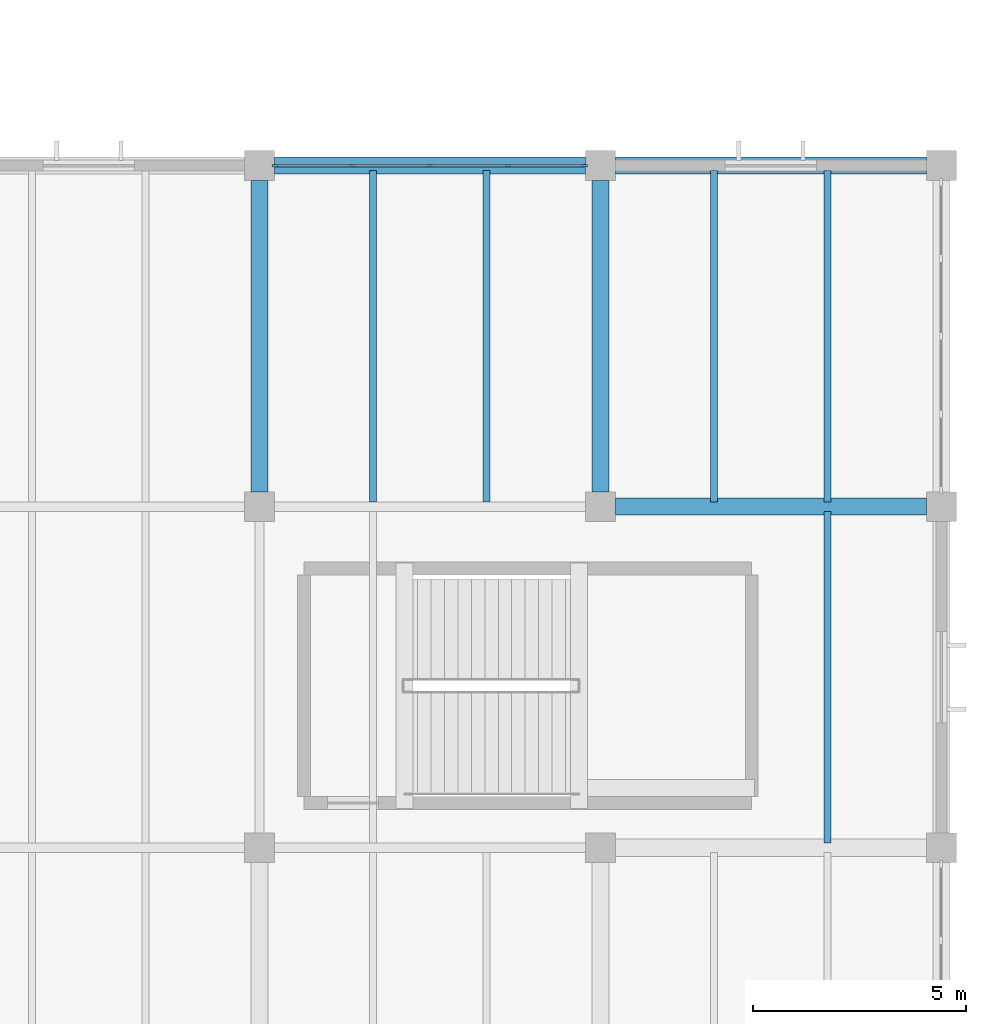
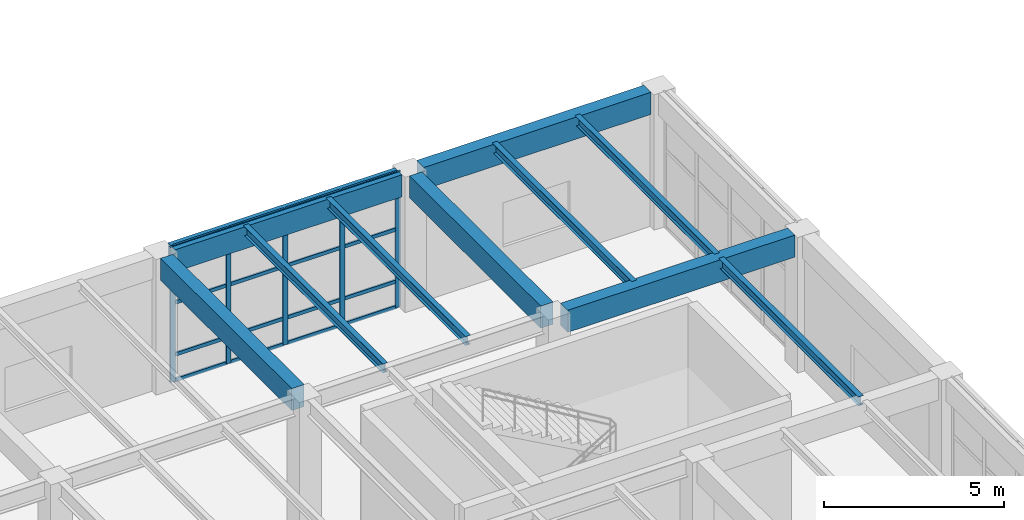
# One storey, part 29 of 60: 21 members, 10 beams, 1 element without a shape of its own.
"""IFC4 building model written with IfcOpenShell, lengths in metres."""

from ifc_helpers import new_model, si_unit, direction, frame, origin, origin_2d, place, context, subcontext, project, spatial, rectangle, i_section, extrude, material, layer, layer_set, material_profile, profile_set, type_object, element, aggregate, save


model = new_model("IFC4")

# Units and contexts
model_context = context("Model", 3, precision=1e-05, world=origin(), true_north=direction((0.0, 1.0)))
body_context = subcontext(model_context, "Body", "Model", "MODEL_VIEW")
ifc_project = project(units=[si_unit("LENGTHUNIT", "METRE"), si_unit("AREAUNIT", "SQUARE_METRE"), si_unit("VOLUMEUNIT", "CUBIC_METRE"), si_unit("PLANEANGLEUNIT", "RADIAN"), si_unit("MASSUNIT", "GRAM", prefix="KILO")], contexts=[model_context])

# Site, building, storey
site_placement = place(None, origin())
site = spatial("IfcSite", under=ifc_project, at=site_placement, CompositionType="ELEMENT")
building_placement = place(site_placement, origin())
building = spatial("IfcBuilding", under=site, at=building_placement, Name="Varnela Railside Interchange", CompositionType="ELEMENT")
storey_placement = place(building_placement, frame((0.0, 0.0, 6.300048828125)))
storey = spatial("IfcBuildingStorey", under=building, at=storey_placement, Name="L01", CompositionType="ELEMENT", Elevation=6.300048828125)

# Beams
ifc_material_1 = material(Name="Steel AR 350 (350 MPa)", Category="steel")
ifc_material_profile_1 = material_profile(ifc_material_1, i_section(OverallWidth=0.1650390625, OverallDepth=0.31005859375, WebThickness=0.005859375, FlangeThickness=0.009765625, at=origin_2d()), Name="W310x38.7")
ifc_profile_set_1 = profile_set([ifc_material_profile_1], Name="Steel AR 350 (350 MPa)")
beam_type_1 = type_object("IfcBeamType", Name="Composite Floor Joist J-04", PredefinedType="JOIST", material=ifc_profile_set_1)
for number, where, z_axis, x_axis, name in (
    (1, (150.669921875, 54.114501953125, 4.445068359375), (0.0, 1.0, 0.0), (-1.0, 0.0, 0.0), "Composite Floor Joist J-04 (L01) (BM-1529)"),
    (2, (153.330078125, 54.114501953125, 4.445068359375), (0.0, 1.0, 0.0), (-1.0, 0.0, 0.0), "Composite Floor Joist J-04 (L01) (BM-1530)"),
    (3, (161.330078125, 46.114501953125, 4.445068359375), (0.0, 1.0, 0.0), (-1.0, 0.0, 0.0), "Composite Floor Joist J-04 (L01) (BM-1533)"),
    (4, (158.669921875, 54.114501953125, 4.445068359375), (0.0, 1.0, 0.0), (-1.0, 0.0, 0.0), "Composite Floor Joist J-04 (L01) (BM-1534)"),
    (5, (161.330078125, 54.114501953125, 4.445068359375), (0.0, 1.0, 0.0), (-1.0, 0.0, 0.0), "Composite Floor Joist J-04 (L01) (BM-1535)"),
):
    element("IfcBeam", number, at=place(storey_placement, frame(where, z_axis=z_axis, x_axis=x_axis)), inside=storey, type_object=beam_type_1, Name=name, PredefinedType="JOIST", context=body_context, shape_type="SweptSolid", body=[
        extrude(i_section(OverallWidth=0.1650390625, OverallDepth=0.31005859375, WebThickness=0.005859375, FlangeThickness=0.009765625, at=origin_2d()), origin(), (0.0, 0.0, 1.0), 7.77099609375),
    ])

# Curtain wall, members
ifc_material_2 = material(Name="Aluminium 6063-T6", Category="aluminium")
ifc_layer = layer(ifc_material_2, 0.035888671875)
ifc_layer_set = layer_set([ifc_layer], Name="Aluminium 6063-T6")
curtain_wall_type = type_object("IfcCurtainWallType", Name="Study Pavilion Gallery Curtain Wall CW-02", PredefinedType="USERDEFINED", material=ifc_layer_set)
curtain_wall_placement = place(storey_placement, origin())
curtain_wall = element("IfcCurtainWall", 6, at=curtain_wall_placement, inside=storey, type_object=curtain_wall_type, Name="Curtain Wall CW-02 (L01) (CW-036)", ObjectType="CURTAIN WALL", PredefinedType="USERDEFINED")
ifc_material_profile_2 = material_profile(ifc_material_2, rectangle(XDim=0.06005859375, YDim=0.159912109375, at=origin_2d()), Name="ALU 60x160")
ifc_profile_set_2 = profile_set([ifc_material_profile_2], Name="Aluminium 6063-T6")
member_type_1 = type_object("IfcMemberType", Name="Curtain Wall Mullion ML-02", PredefinedType="MULLION", material=ifc_profile_set_2)
member_1_placement = place(storey_placement, frame((148.3798828125, 62.0, 0.0), z_axis=(0.0, 0.0, 1.0), x_axis=(0.0, 1.0, 0.0)))
member_1 = element("IfcMember", 7, at=member_1_placement, type_object=member_type_1, Name="CW-02 mullion 1", PredefinedType="MULLION", context=body_context, shape_type="SweptSolid", body=[
    extrude(rectangle(XDim=0.06005859375, YDim=0.159912109375, at=origin_2d()), origin(), (0.0, 0.0, 1.0), 4.599853515625),
])
member_2_placement = place(storey_placement, frame((150.175048828125, 62.0, 0.0), z_axis=(0.0, 0.0, 1.0), x_axis=(0.0, 1.0, 0.0)))
member_2 = element("IfcMember", 8, at=member_2_placement, type_object=member_type_1, Name="CW-02 mullion 2", PredefinedType="MULLION", context=body_context, shape_type="SweptSolid", body=[
    extrude(rectangle(XDim=0.06005859375, YDim=0.159912109375, at=origin_2d()), origin(), (0.0, 0.0, 1.0), 4.599853515625),
])
member_3_placement = place(storey_placement, frame((152.0, 62.0, 0.0), z_axis=(0.0, 0.0, 1.0), x_axis=(0.0, 1.0, 0.0)))
member_3 = element("IfcMember", 9, at=member_3_placement, type_object=member_type_1, Name="CW-02 mullion 3", PredefinedType="MULLION", context=body_context, shape_type="SweptSolid", body=[
    extrude(rectangle(XDim=0.06005859375, YDim=0.159912109375, at=origin_2d()), origin(), (0.0, 0.0, 1.0), 4.599853515625),
])
member_4_placement = place(storey_placement, frame((153.824951171875, 62.0, 0.0), z_axis=(0.0, 0.0, 1.0), x_axis=(0.0, 1.0, 0.0)))
member_4 = element("IfcMember", 10, at=member_4_placement, type_object=member_type_1, Name="CW-02 mullion 4", PredefinedType="MULLION", context=body_context, shape_type="SweptSolid", body=[
    extrude(rectangle(XDim=0.06005859375, YDim=0.159912109375, at=origin_2d()), origin(), (0.0, 0.0, 1.0), 4.599853515625),
])
member_5_placement = place(storey_placement, frame((155.6201171875, 62.0, 0.0), z_axis=(0.0, 0.0, 1.0), x_axis=(0.0, 1.0, 0.0)))
member_5 = element("IfcMember", 11, at=member_5_placement, type_object=member_type_1, Name="CW-02 mullion 5", PredefinedType="MULLION", context=body_context, shape_type="SweptSolid", body=[
    extrude(rectangle(XDim=0.06005859375, YDim=0.159912109375, at=origin_2d()), origin(), (0.0, 0.0, 1.0), 4.599853515625),
])
ifc_material_profile_3 = material_profile(ifc_material_2, rectangle(XDim=0.06005859375, YDim=0.1201171875, at=origin_2d()), Name="ALU 60x120")
ifc_profile_set_3 = profile_set([ifc_material_profile_3], Name="Aluminium 6063-T6")
member_type_2 = type_object("IfcMemberType", Name="Curtain Wall Transom TR-02", PredefinedType="USERDEFINED", material=ifc_profile_set_3)
member_6_placement = place(storey_placement, frame((148.409912109375, 62.0, 0.030029296875), z_axis=(1.0, 0.0, 0.0), x_axis=(0.0, 1.0, 0.0)))
member_6 = element("IfcMember", 12, at=member_6_placement, type_object=member_type_2, Name="CW-02 transom 1.1", ObjectType="TRANSOM", PredefinedType="USERDEFINED", context=body_context, shape_type="SweptSolid", body=[
    extrude(rectangle(XDim=0.06005859375, YDim=0.1201171875, at=origin_2d()), origin(), (0.0, 0.0, 1.0), 1.735107421875),
])
member_7_placement = place(storey_placement, frame((148.409912109375, 62.0, 0.89990234375), z_axis=(1.0, 0.0, 0.0), x_axis=(0.0, 1.0, 0.0)))
member_7 = element("IfcMember", 13, at=member_7_placement, type_object=member_type_2, Name="CW-02 transom 1.2", ObjectType="TRANSOM", PredefinedType="USERDEFINED", context=body_context, shape_type="SweptSolid", body=[
    extrude(rectangle(XDim=0.06005859375, YDim=0.1201171875, at=origin_2d()), origin(), (0.0, 0.0, 1.0), 1.735107421875),
])
member_8_placement = place(storey_placement, frame((148.409912109375, 62.0, 2.66796875), z_axis=(1.0, 0.0, 0.0), x_axis=(0.0, 1.0, 0.0)))
member_8 = element("IfcMember", 14, at=member_8_placement, type_object=member_type_2, Name="CW-02 transom 1.3", ObjectType="TRANSOM", PredefinedType="USERDEFINED", context=body_context, shape_type="SweptSolid", body=[
    extrude(rectangle(XDim=0.06005859375, YDim=0.1201171875, at=origin_2d()), origin(), (0.0, 0.0, 1.0), 1.735107421875),
])
member_9_placement = place(storey_placement, frame((148.409912109375, 62.0, 4.570068359375), z_axis=(1.0, 0.0, 0.0), x_axis=(0.0, 1.0, 0.0)))
member_9 = element("IfcMember", 15, at=member_9_placement, type_object=member_type_2, Name="CW-02 transom 1.4", ObjectType="TRANSOM", PredefinedType="USERDEFINED", context=body_context, shape_type="SweptSolid", body=[
    extrude(rectangle(XDim=0.06005859375, YDim=0.1201171875, at=origin_2d()), origin(), (0.0, 0.0, 1.0), 1.735107421875),
])
member_10_placement = place(storey_placement, frame((150.205078125, 62.0, 0.030029296875), z_axis=(1.0, 0.0, 0.0), x_axis=(0.0, 1.0, 0.0)))
member_10 = element("IfcMember", 16, at=member_10_placement, type_object=member_type_2, Name="CW-02 transom 2.1", ObjectType="TRANSOM", PredefinedType="USERDEFINED", context=body_context, shape_type="SweptSolid", body=[
    extrude(rectangle(XDim=0.06005859375, YDim=0.1201171875, at=origin_2d()), origin(), (0.0, 0.0, 1.0), 1.764892578125),
])
member_11_placement = place(storey_placement, frame((150.205078125, 62.0, 0.89990234375), z_axis=(1.0, 0.0, 0.0), x_axis=(0.0, 1.0, 0.0)))
member_11 = element("IfcMember", 17, at=member_11_placement, type_object=member_type_2, Name="CW-02 transom 2.2", ObjectType="TRANSOM", PredefinedType="USERDEFINED", context=body_context, shape_type="SweptSolid", body=[
    extrude(rectangle(XDim=0.06005859375, YDim=0.1201171875, at=origin_2d()), origin(), (0.0, 0.0, 1.0), 1.764892578125),
])
member_12_placement = place(storey_placement, frame((150.205078125, 62.0, 2.66796875), z_axis=(1.0, 0.0, 0.0), x_axis=(0.0, 1.0, 0.0)))
member_12 = element("IfcMember", 18, at=member_12_placement, type_object=member_type_2, Name="CW-02 transom 2.3", ObjectType="TRANSOM", PredefinedType="USERDEFINED", context=body_context, shape_type="SweptSolid", body=[
    extrude(rectangle(XDim=0.06005859375, YDim=0.1201171875, at=origin_2d()), origin(), (0.0, 0.0, 1.0), 1.764892578125),
])
member_13_placement = place(storey_placement, frame((150.205078125, 62.0, 4.570068359375), z_axis=(1.0, 0.0, 0.0), x_axis=(0.0, 1.0, 0.0)))
member_13 = element("IfcMember", 19, at=member_13_placement, type_object=member_type_2, Name="CW-02 transom 2.4", ObjectType="TRANSOM", PredefinedType="USERDEFINED", context=body_context, shape_type="SweptSolid", body=[
    extrude(rectangle(XDim=0.06005859375, YDim=0.1201171875, at=origin_2d()), origin(), (0.0, 0.0, 1.0), 1.764892578125),
])
member_14_placement = place(storey_placement, frame((152.030029296875, 62.0, 0.030029296875), z_axis=(1.0, 0.0, 0.0), x_axis=(0.0, 1.0, 0.0)))
member_14 = element("IfcMember", 20, at=member_14_placement, type_object=member_type_2, Name="CW-02 transom 3.1", ObjectType="TRANSOM", PredefinedType="USERDEFINED", context=body_context, shape_type="SweptSolid", body=[
    extrude(rectangle(XDim=0.06005859375, YDim=0.1201171875, at=origin_2d()), origin(), (0.0, 0.0, 1.0), 1.764892578125),
])
member_15_placement = place(storey_placement, frame((152.030029296875, 62.0, 0.89990234375), z_axis=(1.0, 0.0, 0.0), x_axis=(0.0, 1.0, 0.0)))
member_15 = element("IfcMember", 21, at=member_15_placement, type_object=member_type_2, Name="CW-02 transom 3.2", ObjectType="TRANSOM", PredefinedType="USERDEFINED", context=body_context, shape_type="SweptSolid", body=[
    extrude(rectangle(XDim=0.06005859375, YDim=0.1201171875, at=origin_2d()), origin(), (0.0, 0.0, 1.0), 1.764892578125),
])
member_16_placement = place(storey_placement, frame((152.030029296875, 62.0, 2.66796875), z_axis=(1.0, 0.0, 0.0), x_axis=(0.0, 1.0, 0.0)))
member_16 = element("IfcMember", 22, at=member_16_placement, type_object=member_type_2, Name="CW-02 transom 3.3", ObjectType="TRANSOM", PredefinedType="USERDEFINED", context=body_context, shape_type="SweptSolid", body=[
    extrude(rectangle(XDim=0.06005859375, YDim=0.1201171875, at=origin_2d()), origin(), (0.0, 0.0, 1.0), 1.764892578125),
])
member_17_placement = place(storey_placement, frame((152.030029296875, 62.0, 4.570068359375), z_axis=(1.0, 0.0, 0.0), x_axis=(0.0, 1.0, 0.0)))
member_17 = element("IfcMember", 23, at=member_17_placement, type_object=member_type_2, Name="CW-02 transom 3.4", ObjectType="TRANSOM", PredefinedType="USERDEFINED", context=body_context, shape_type="SweptSolid", body=[
    extrude(rectangle(XDim=0.06005859375, YDim=0.1201171875, at=origin_2d()), origin(), (0.0, 0.0, 1.0), 1.764892578125),
])
member_18_placement = place(storey_placement, frame((153.85498046875, 62.0, 0.030029296875), z_axis=(1.0, 0.0, 0.0), x_axis=(0.0, 1.0, 0.0)))
member_18 = element("IfcMember", 24, at=member_18_placement, type_object=member_type_2, Name="CW-02 transom 4.1", ObjectType="TRANSOM", PredefinedType="USERDEFINED", context=body_context, shape_type="SweptSolid", body=[
    extrude(rectangle(XDim=0.06005859375, YDim=0.1201171875, at=origin_2d()), origin(), (0.0, 0.0, 1.0), 1.735107421875),
])
member_19_placement = place(storey_placement, frame((153.85498046875, 62.0, 0.89990234375), z_axis=(1.0, 0.0, 0.0), x_axis=(0.0, 1.0, 0.0)))
member_19 = element("IfcMember", 25, at=member_19_placement, type_object=member_type_2, Name="CW-02 transom 4.2", ObjectType="TRANSOM", PredefinedType="USERDEFINED", context=body_context, shape_type="SweptSolid", body=[
    extrude(rectangle(XDim=0.06005859375, YDim=0.1201171875, at=origin_2d()), origin(), (0.0, 0.0, 1.0), 1.735107421875),
])
member_20_placement = place(storey_placement, frame((153.85498046875, 62.0, 2.66796875), z_axis=(1.0, 0.0, 0.0), x_axis=(0.0, 1.0, 0.0)))
member_20 = element("IfcMember", 26, at=member_20_placement, type_object=member_type_2, Name="CW-02 transom 4.3", ObjectType="TRANSOM", PredefinedType="USERDEFINED", context=body_context, shape_type="SweptSolid", body=[
    extrude(rectangle(XDim=0.06005859375, YDim=0.1201171875, at=origin_2d()), origin(), (0.0, 0.0, 1.0), 1.735107421875),
])
member_21_placement = place(storey_placement, frame((153.85498046875, 62.0, 4.570068359375), z_axis=(1.0, 0.0, 0.0), x_axis=(0.0, 1.0, 0.0)))
member_21 = element("IfcMember", 27, at=member_21_placement, type_object=member_type_2, Name="CW-02 transom 4.4", ObjectType="TRANSOM", PredefinedType="USERDEFINED", context=body_context, shape_type="SweptSolid", body=[
    extrude(rectangle(XDim=0.06005859375, YDim=0.1201171875, at=origin_2d()), origin(), (0.0, 0.0, 1.0), 1.735107421875),
])
aggregate(curtain_wall, [member_1, member_2, member_3, member_4, member_5, member_6, member_7, member_8, member_9, member_10, member_11, member_12, member_13, member_14, member_15, member_16, member_17, member_18, member_19, member_20, member_21])

# Beams
ifc_material_3 = material(Name="Concrete C40 precast", Category="concrete")
ifc_material_profile_4 = material_profile(ifc_material_3, rectangle(XDim=0.39990234375, YDim=0.75, at=origin_2d()), Name="PC 400x750")
ifc_profile_set_4 = profile_set([ifc_material_profile_4], Name="Concrete C40 precast")
beam_type_2 = type_object("IfcBeamType", Name="Precast Facade Spandrel SP-03", PredefinedType="SPANDREL", material=ifc_profile_set_4)
for number, where, z_axis, x_axis, name in (
    (28, (156.35009765625, 54.0, 4.224853515625), (1.0, 0.0, 0.0), (0.0, 1.0, 0.0), "Precast Facade Spandrel SP-03 (L01) (BM-1650)"),
    (29, (148.35009765625, 62.0, 4.224853515625), (1.0, 0.0, 0.0), (0.0, 1.0, 0.0), "Precast Facade Spandrel SP-03 (L01) (BM-1662)"),
    (30, (156.35009765625, 62.0, 4.224853515625), (1.0, 0.0, 0.0), (0.0, 1.0, 0.0), "Precast Facade Spandrel SP-03 (L01) (BM-1663)"),
    (31, (148.0, 54.35009765625, 4.224853515625), (0.0, 1.0, 0.0), (-1.0, 0.0, 0.0), "Precast Facade Spandrel SP-03 (L01) (BM-1737)"),
    (32, (156.0, 54.35009765625, 4.224853515625), (0.0, 1.0, 0.0), (-1.0, 0.0, 0.0), "Precast Facade Spandrel SP-03 (L01) (BM-1746)"),
):
    element("IfcBeam", number, at=place(storey_placement, frame(where, z_axis=z_axis, x_axis=x_axis)), inside=storey, type_object=beam_type_2, Name=name, PredefinedType="SPANDREL", context=body_context, shape_type="SweptSolid", body=[
        extrude(rectangle(XDim=0.39990234375, YDim=0.75, at=origin_2d()), origin(), (0.0, 0.0, 1.0), 7.2998046875),
    ])

save(model, "model.ifc")
